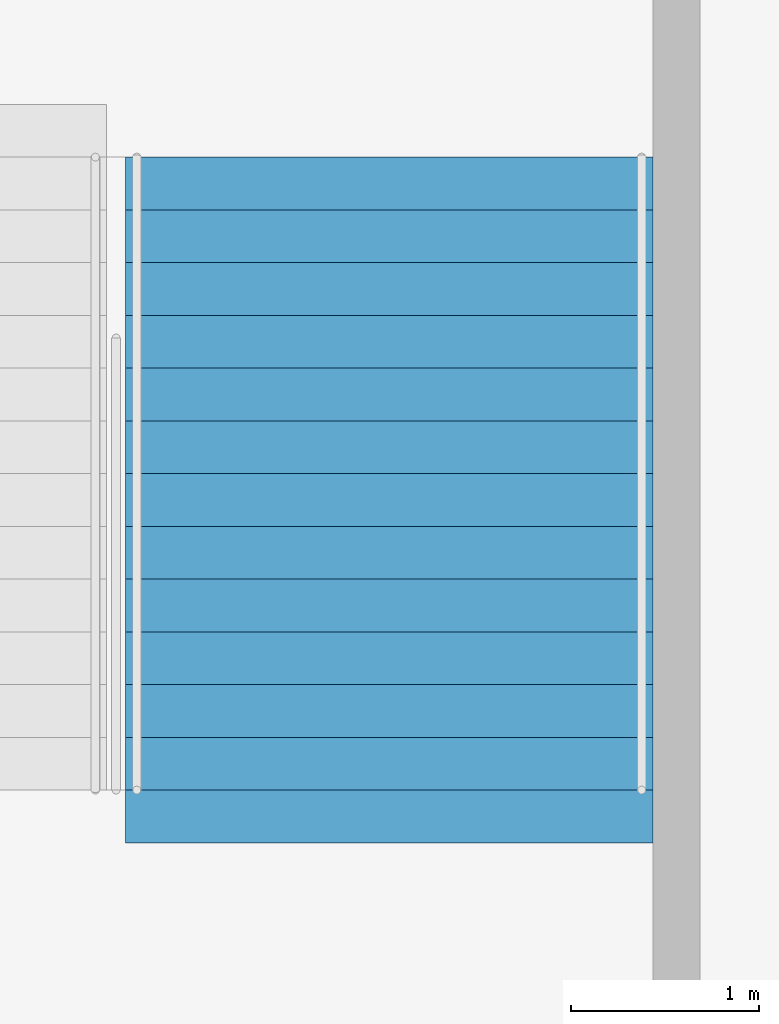
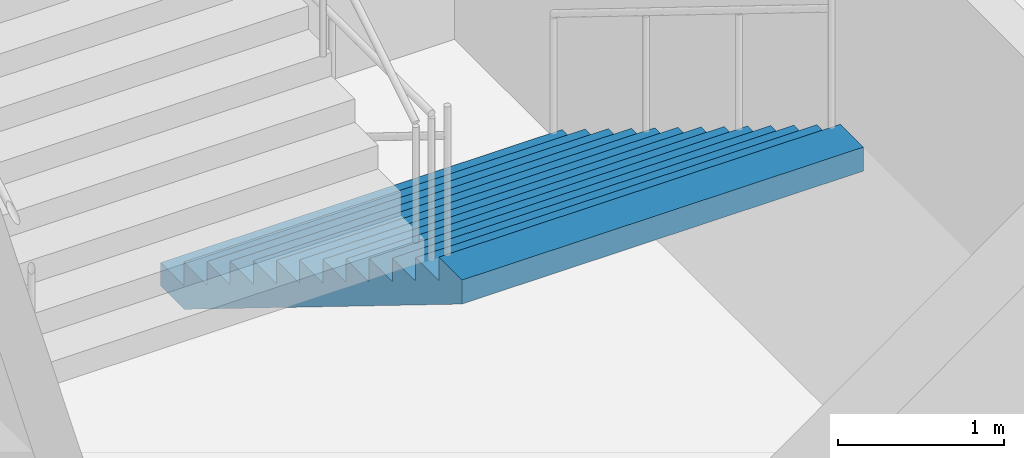
# One storey, part 66 of 115: 1 stair flight, 1 element without a shape of its own.
"""IFC4 building model written with IfcOpenShell, lengths in metres."""

from ifc_helpers import new_model, si_unit, direction, frame, origin, place, context, subcontext, project, spatial, faceted_brep, material, type_object, element, aggregate, save


model = new_model("IFC4")

# Units and contexts
model_context = context("Model", 3, precision=1e-05, world=origin(), true_north=direction((0.0, 1.0)))
body_context = subcontext(model_context, "Body", "Model", "MODEL_VIEW")
ifc_project = project(units=[si_unit("LENGTHUNIT", "METRE"), si_unit("AREAUNIT", "SQUARE_METRE"), si_unit("VOLUMEUNIT", "CUBIC_METRE"), si_unit("PLANEANGLEUNIT", "RADIAN"), si_unit("MASSUNIT", "GRAM", prefix="KILO")], contexts=[model_context])

# Site, building, storey
site_placement = place(None, origin())
site = spatial("IfcSite", under=ifc_project, at=site_placement, CompositionType="ELEMENT")
building_placement = place(site_placement, origin())
building = spatial("IfcBuilding", under=site, at=building_placement, Name="Ogive Plaza Stadium", CompositionType="ELEMENT")
storey_placement = place(building_placement, frame((0.0, 0.0, -4.5)))
storey = spatial("IfcBuildingStorey", under=building, at=storey_placement, Name="B1", CompositionType="ELEMENT", Elevation=-4.5)

# Stair, stair flight
ifc_material_1 = material(Name="Concrete C40/50", Category="concrete")
stair_type = type_object("IfcStairType", Name="Exit stair", PredefinedType="STRAIGHT_RUN_STAIR", material=ifc_material_1)
stair_placement = place(storey_placement, origin())
stair = element("IfcStair", 1, at=stair_placement, inside=storey, type_object=stair_type, Name="Exit stair ST16B B1 to L00", PredefinedType="STRAIGHT_RUN_STAIR")
ifc_material_2 = material(Name="Concrete C40/50", Category="concrete")
stair_flight_type = type_object("IfcStairFlightType", Name="Exit stair flight", PredefinedType="STRAIGHT", material=ifc_material_2)
stair_flight_placement = place(storey_placement, frame((-15.97509765625, -94.85009765625, 0.0), z_axis=(0.0, 0.0, 1.0), x_axis=(0.0, -1.0, 0.0)))
stair_flight = element("IfcStairFlight", 2, at=stair_flight_placement, type_object=stair_flight_type, Name="ST16B flight 1", NumberOfRisers=13, NumberOfTreads=12, PredefinedType="STRAIGHT", RiserHeight=0.173076923, TreadLength=0.28, context=body_context, shape_type="Brep", body=[
    faceted_brep([(0.28515625, -1.39990234375, 0.0), (3.639892578125, -1.39990234375, 2.07373046875), (3.639892578125, -1.39990234375, 2.25), (3.360107421875, -1.39990234375, 2.25), (3.360107421875, -1.39990234375, 2.076904296875), (3.080078125, -1.39990234375, 2.076904296875), (3.080078125, -1.39990234375, 1.90380859375), (2.800048828125, -1.39990234375, 1.90380859375), (2.800048828125, -1.39990234375, 1.730712890625), (2.52001953125, -1.39990234375, 1.730712890625), (2.52001953125, -1.39990234375, 1.5576171875), (2.239990234375, -1.39990234375, 1.5576171875), (2.239990234375, -1.39990234375, 1.384521484375), (1.9599609375, -1.39990234375, 1.384521484375), (1.9599609375, -1.39990234375, 1.21142578125), (1.679931640625, -1.39990234375, 1.21142578125), (1.679931640625, -1.39990234375, 1.03857421875), (1.39990234375, -1.39990234375, 1.03857421875), (1.39990234375, -1.39990234375, 0.865478515625), (1.1201171875, -1.39990234375, 0.865478515625), (1.1201171875, -1.39990234375, 0.6923828125), (0.840087890625, -1.39990234375, 0.6923828125), (0.840087890625, -1.39990234375, 0.519287109375), (0.56005859375, -1.39990234375, 0.519287109375), (0.56005859375, -1.39990234375, 0.34619140625), (0.280029296875, -1.39990234375, 0.34619140625), (0.280029296875, -1.39990234375, 0.173095703125), (0.0, -1.39990234375, 0.173095703125), (0.0, -1.39990234375, 0.0), (0.0, 1.39990234375, 0.0), (0.0, 1.39990234375, 0.173095703125), (0.280029296875, 1.39990234375, 0.173095703125), (0.280029296875, 1.39990234375, 0.34619140625), (0.56005859375, 1.39990234375, 0.34619140625), (0.56005859375, 1.39990234375, 0.519287109375), (0.840087890625, 1.39990234375, 0.519287109375), (0.840087890625, 1.39990234375, 0.6923828125), (1.1201171875, 1.39990234375, 0.6923828125), (1.1201171875, 1.39990234375, 0.865478515625), (1.39990234375, 1.39990234375, 0.865478515625), (1.39990234375, 1.39990234375, 1.03857421875), (1.679931640625, 1.39990234375, 1.03857421875), (1.679931640625, 1.39990234375, 1.21142578125), (1.9599609375, 1.39990234375, 1.21142578125), (1.9599609375, 1.39990234375, 1.384521484375), (2.239990234375, 1.39990234375, 1.384521484375), (2.239990234375, 1.39990234375, 1.5576171875), (2.52001953125, 1.39990234375, 1.5576171875), (2.52001953125, 1.39990234375, 1.730712890625), (2.800048828125, 1.39990234375, 1.730712890625), (2.800048828125, 1.39990234375, 1.90380859375), (3.080078125, 1.39990234375, 1.90380859375), (3.080078125, 1.39990234375, 2.076904296875), (3.360107421875, 1.39990234375, 2.076904296875), (3.360107421875, 1.39990234375, 2.25), (3.639892578125, 1.39990234375, 2.25), (3.639892578125, 1.39990234375, 2.07373046875), (0.28515625, 1.39990234375, 0.0), (0.28515625, -1.0888671875, 0.0), (3.639892578125, -1.0888671875, 2.07373046875), (0.28515625, -0.77783203125, 0.0), (3.639892578125, -0.77783203125, 2.07373046875), (0.28515625, -0.466796875, 0.0), (3.639892578125, -0.466796875, 2.07373046875), (0.28515625, -0.155517578125, 0.0), (3.639892578125, -0.155517578125, 2.07373046875), (0.28515625, 0.155517578125, 0.0), (3.639892578125, 0.155517578125, 2.07373046875), (0.28515625, 0.466796875, 0.0), (3.639892578125, 0.466796875, 2.07373046875), (0.28515625, 0.77783203125, 0.0), (3.639892578125, 0.77783203125, 2.07373046875), (0.28515625, 1.0888671875, 0.0), (3.639892578125, 1.0888671875, 2.07373046875), (3.639892578125, -1.0888671875, 2.25), (3.639892578125, -0.77783203125, 2.25), (3.639892578125, -0.466796875, 2.25), (3.639892578125, -0.155517578125, 2.25), (3.639892578125, 0.155517578125, 2.25), (3.639892578125, 0.466796875, 2.25), (3.639892578125, 0.77783203125, 2.25), (3.639892578125, 1.0888671875, 2.25), (3.360107421875, -1.0888671875, 2.25), (3.360107421875, -0.77783203125, 2.25), (3.360107421875, -0.466796875, 2.25), (3.360107421875, -0.155517578125, 2.25), (3.360107421875, 0.155517578125, 2.25), (3.360107421875, 0.466796875, 2.25), (3.360107421875, 0.77783203125, 2.25), (3.360107421875, 1.0888671875, 2.25), (3.360107421875, -1.0888671875, 2.076904296875), (3.360107421875, -0.77783203125, 2.076904296875), (3.360107421875, -0.466796875, 2.076904296875), (3.360107421875, -0.155517578125, 2.076904296875), (3.360107421875, 0.155517578125, 2.076904296875), (3.360107421875, 0.466796875, 2.076904296875), (3.360107421875, 0.77783203125, 2.076904296875), (3.360107421875, 1.0888671875, 2.076904296875), (3.080078125, -1.0888671875, 2.076904296875), (3.080078125, -0.77783203125, 2.076904296875), (3.080078125, -0.466796875, 2.076904296875), (3.080078125, -0.155517578125, 2.076904296875), (3.080078125, 0.155517578125, 2.076904296875), (3.080078125, 0.466796875, 2.076904296875), (3.080078125, 0.77783203125, 2.076904296875), (3.080078125, 1.0888671875, 2.076904296875), (3.080078125, -1.0888671875, 1.90380859375), (3.080078125, -0.77783203125, 1.90380859375), (3.080078125, -0.466796875, 1.90380859375), (3.080078125, -0.155517578125, 1.90380859375), (3.080078125, 0.155517578125, 1.90380859375), (3.080078125, 0.466796875, 1.90380859375), (3.080078125, 0.77783203125, 1.90380859375), (3.080078125, 1.0888671875, 1.90380859375), (2.800048828125, -1.0888671875, 1.90380859375), (2.800048828125, -0.77783203125, 1.90380859375), (2.800048828125, -0.466796875, 1.90380859375), (2.800048828125, -0.155517578125, 1.90380859375), (2.800048828125, 0.155517578125, 1.90380859375), (2.800048828125, 0.466796875, 1.90380859375), (2.800048828125, 0.77783203125, 1.90380859375), (2.800048828125, 1.0888671875, 1.90380859375), (2.800048828125, -1.0888671875, 1.730712890625), (2.800048828125, -0.77783203125, 1.730712890625), (2.800048828125, -0.466796875, 1.730712890625), (2.800048828125, -0.155517578125, 1.730712890625), (2.800048828125, 0.155517578125, 1.730712890625), (2.800048828125, 0.466796875, 1.730712890625), (2.800048828125, 0.77783203125, 1.730712890625), (2.800048828125, 1.0888671875, 1.730712890625), (2.52001953125, -1.0888671875, 1.730712890625), (2.52001953125, -0.77783203125, 1.730712890625), (2.52001953125, -0.466796875, 1.730712890625), (2.52001953125, -0.155517578125, 1.730712890625), (2.52001953125, 0.155517578125, 1.730712890625), (2.52001953125, 0.466796875, 1.730712890625), (2.52001953125, 0.77783203125, 1.730712890625), (2.52001953125, 1.0888671875, 1.730712890625), (2.52001953125, -1.0888671875, 1.5576171875), (2.52001953125, -0.77783203125, 1.5576171875), (2.52001953125, -0.466796875, 1.5576171875), (2.52001953125, -0.155517578125, 1.5576171875), (2.52001953125, 0.155517578125, 1.5576171875), (2.52001953125, 0.466796875, 1.5576171875), (2.52001953125, 0.77783203125, 1.5576171875), (2.52001953125, 1.0888671875, 1.5576171875), (2.239990234375, -1.0888671875, 1.5576171875), (2.239990234375, -0.77783203125, 1.5576171875), (2.239990234375, -0.466796875, 1.5576171875), (2.239990234375, -0.155517578125, 1.5576171875), (2.239990234375, 0.155517578125, 1.5576171875), (2.239990234375, 0.466796875, 1.5576171875), (2.239990234375, 0.77783203125, 1.5576171875), (2.239990234375, 1.0888671875, 1.5576171875), (2.239990234375, -1.0888671875, 1.384521484375), (2.239990234375, -0.77783203125, 1.384521484375), (2.239990234375, -0.466796875, 1.384521484375), (2.239990234375, -0.155517578125, 1.384521484375), (2.239990234375, 0.155517578125, 1.384521484375), (2.239990234375, 0.466796875, 1.384521484375), (2.239990234375, 0.77783203125, 1.384521484375), (2.239990234375, 1.0888671875, 1.384521484375), (1.9599609375, -1.0888671875, 1.384521484375), (1.9599609375, -0.77783203125, 1.384521484375), (1.9599609375, -0.466796875, 1.384521484375), (1.9599609375, -0.155517578125, 1.384521484375), (1.9599609375, 0.155517578125, 1.384521484375), (1.9599609375, 0.466796875, 1.384521484375), (1.9599609375, 0.77783203125, 1.384521484375), (1.9599609375, 1.0888671875, 1.384521484375), (1.9599609375, -1.0888671875, 1.21142578125), (1.9599609375, -0.77783203125, 1.21142578125), (1.9599609375, -0.466796875, 1.21142578125), (1.9599609375, -0.155517578125, 1.21142578125), (1.9599609375, 0.155517578125, 1.21142578125), (1.9599609375, 0.466796875, 1.21142578125), (1.9599609375, 0.77783203125, 1.21142578125), (1.9599609375, 1.0888671875, 1.21142578125), (1.679931640625, -1.0888671875, 1.21142578125), (1.679931640625, -0.77783203125, 1.21142578125), (1.679931640625, -0.466796875, 1.21142578125), (1.679931640625, -0.155517578125, 1.21142578125), (1.679931640625, 0.155517578125, 1.21142578125), (1.679931640625, 0.466796875, 1.21142578125), (1.679931640625, 0.77783203125, 1.21142578125), (1.679931640625, 1.0888671875, 1.21142578125), (1.679931640625, -1.0888671875, 1.03857421875), (1.679931640625, -0.77783203125, 1.03857421875), (1.679931640625, -0.466796875, 1.03857421875), (1.679931640625, -0.155517578125, 1.03857421875), (1.679931640625, 0.155517578125, 1.03857421875), (1.679931640625, 0.466796875, 1.03857421875), (1.679931640625, 0.77783203125, 1.03857421875), (1.679931640625, 1.0888671875, 1.03857421875), (1.39990234375, -1.0888671875, 1.03857421875), (1.39990234375, -0.77783203125, 1.03857421875), (1.39990234375, -0.466796875, 1.03857421875), (1.39990234375, -0.155517578125, 1.03857421875), (1.39990234375, 0.155517578125, 1.03857421875), (1.39990234375, 0.466796875, 1.03857421875), (1.39990234375, 0.77783203125, 1.03857421875), (1.39990234375, 1.0888671875, 1.03857421875), (1.39990234375, -1.0888671875, 0.865478515625), (1.39990234375, -0.77783203125, 0.865478515625), (1.39990234375, -0.466796875, 0.865478515625), (1.39990234375, -0.155517578125, 0.865478515625), (1.39990234375, 0.155517578125, 0.865478515625), (1.39990234375, 0.466796875, 0.865478515625), (1.39990234375, 0.77783203125, 0.865478515625), (1.39990234375, 1.0888671875, 0.865478515625), (1.1201171875, -1.0888671875, 0.865478515625), (1.1201171875, -0.77783203125, 0.865478515625), (1.1201171875, -0.466796875, 0.865478515625), (1.1201171875, -0.155517578125, 0.865478515625), (1.1201171875, 0.155517578125, 0.865478515625), (1.1201171875, 0.466796875, 0.865478515625), (1.1201171875, 0.77783203125, 0.865478515625), (1.1201171875, 1.0888671875, 0.865478515625), (1.1201171875, -1.0888671875, 0.6923828125), (1.1201171875, -0.77783203125, 0.6923828125), (1.1201171875, -0.466796875, 0.6923828125), (1.1201171875, -0.155517578125, 0.6923828125), (1.1201171875, 0.155517578125, 0.6923828125), (1.1201171875, 0.466796875, 0.6923828125), (1.1201171875, 0.77783203125, 0.6923828125), (1.1201171875, 1.0888671875, 0.6923828125), (0.840087890625, -1.0888671875, 0.6923828125), (0.840087890625, -0.77783203125, 0.6923828125), (0.840087890625, -0.466796875, 0.6923828125), (0.840087890625, -0.155517578125, 0.6923828125), (0.840087890625, 0.155517578125, 0.6923828125), (0.840087890625, 0.466796875, 0.6923828125), (0.840087890625, 0.77783203125, 0.6923828125), (0.840087890625, 1.0888671875, 0.6923828125), (0.840087890625, -1.0888671875, 0.519287109375), (0.840087890625, -0.77783203125, 0.519287109375), (0.840087890625, -0.466796875, 0.519287109375), (0.840087890625, -0.155517578125, 0.519287109375), (0.840087890625, 0.155517578125, 0.519287109375), (0.840087890625, 0.466796875, 0.519287109375), (0.840087890625, 0.77783203125, 0.519287109375), (0.840087890625, 1.0888671875, 0.519287109375), (0.56005859375, -1.0888671875, 0.519287109375), (0.56005859375, -0.77783203125, 0.519287109375), (0.56005859375, -0.466796875, 0.519287109375), (0.56005859375, -0.155517578125, 0.519287109375), (0.56005859375, 0.155517578125, 0.519287109375), (0.56005859375, 0.466796875, 0.519287109375), (0.56005859375, 0.77783203125, 0.519287109375), (0.56005859375, 1.0888671875, 0.519287109375), (0.56005859375, -1.0888671875, 0.34619140625), (0.56005859375, -0.77783203125, 0.34619140625), (0.56005859375, -0.466796875, 0.34619140625), (0.56005859375, -0.155517578125, 0.34619140625), (0.56005859375, 0.155517578125, 0.34619140625), (0.56005859375, 0.466796875, 0.34619140625), (0.56005859375, 0.77783203125, 0.34619140625), (0.56005859375, 1.0888671875, 0.34619140625), (0.280029296875, -1.0888671875, 0.34619140625), (0.280029296875, -0.77783203125, 0.34619140625), (0.280029296875, -0.466796875, 0.34619140625), (0.280029296875, -0.155517578125, 0.34619140625), (0.280029296875, 0.155517578125, 0.34619140625), (0.280029296875, 0.466796875, 0.34619140625), (0.280029296875, 0.77783203125, 0.34619140625), (0.280029296875, 1.0888671875, 0.34619140625), (0.280029296875, -1.0888671875, 0.173095703125), (0.280029296875, -0.77783203125, 0.173095703125), (0.280029296875, -0.466796875, 0.173095703125), (0.280029296875, -0.155517578125, 0.173095703125), (0.280029296875, 0.155517578125, 0.173095703125), (0.280029296875, 0.466796875, 0.173095703125), (0.280029296875, 0.77783203125, 0.173095703125), (0.280029296875, 1.0888671875, 0.173095703125), (0.0, -1.0888671875, 0.173095703125), (0.0, -0.77783203125, 0.173095703125), (0.0, -0.466796875, 0.173095703125), (0.0, -0.155517578125, 0.173095703125), (0.0, 0.155517578125, 0.173095703125), (0.0, 0.466796875, 0.173095703125), (0.0, 0.77783203125, 0.173095703125), (0.0, 1.0888671875, 0.173095703125), (0.0, -1.0888671875, 0.0), (0.0, -0.77783203125, 0.0), (0.0, -0.466796875, 0.0), (0.0, -0.155517578125, 0.0), (0.0, 0.155517578125, 0.0), (0.0, 0.466796875, 0.0), (0.0, 0.77783203125, 0.0), (0.0, 1.0888671875, 0.0)], [[[0, 1, 2, 3, 4, 5, 6, 7, 8, 9, 10, 11, 12, 13, 14, 15, 16, 17, 18, 19, 20, 21, 22, 23, 24, 25, 26, 27, 28]], [[29, 30, 31, 32, 33, 34, 35, 36, 37, 38, 39, 40, 41, 42, 43, 44, 45, 46, 47, 48, 49, 50, 51, 52, 53, 54, 55, 56, 57]], [[0, 58, 59, 1]], [[58, 60, 61, 59]], [[60, 62, 63, 61]], [[62, 64, 65, 63]], [[64, 66, 67, 65]], [[66, 68, 69, 67]], [[68, 70, 71, 69]], [[70, 72, 73, 71]], [[72, 57, 56, 73]], [[1, 59, 74, 2]], [[59, 61, 75, 74]], [[61, 63, 76, 75]], [[63, 65, 77, 76]], [[65, 67, 78, 77]], [[67, 69, 79, 78]], [[69, 71, 80, 79]], [[71, 73, 81, 80]], [[73, 56, 55, 81]], [[2, 74, 82, 3]], [[74, 75, 83, 82]], [[75, 76, 84, 83]], [[76, 77, 85, 84]], [[77, 78, 86, 85]], [[78, 79, 87, 86]], [[79, 80, 88, 87]], [[80, 81, 89, 88]], [[81, 55, 54, 89]], [[3, 82, 90, 4]], [[82, 83, 91, 90]], [[83, 84, 92, 91]], [[84, 85, 93, 92]], [[85, 86, 94, 93]], [[86, 87, 95, 94]], [[87, 88, 96, 95]], [[88, 89, 97, 96]], [[89, 54, 53, 97]], [[4, 90, 98, 5]], [[90, 91, 99, 98]], [[91, 92, 100, 99]], [[92, 93, 101, 100]], [[93, 94, 102, 101]], [[94, 95, 103, 102]], [[95, 96, 104, 103]], [[96, 97, 105, 104]], [[97, 53, 52, 105]], [[5, 98, 106, 6]], [[98, 99, 107, 106]], [[99, 100, 108, 107]], [[100, 101, 109, 108]], [[101, 102, 110, 109]], [[102, 103, 111, 110]], [[103, 104, 112, 111]], [[104, 105, 113, 112]], [[105, 52, 51, 113]], [[6, 106, 114, 7]], [[106, 107, 115, 114]], [[107, 108, 116, 115]], [[108, 109, 117, 116]], [[109, 110, 118, 117]], [[110, 111, 119, 118]], [[111, 112, 120, 119]], [[112, 113, 121, 120]], [[113, 51, 50, 121]], [[7, 114, 122, 8]], [[114, 115, 123, 122]], [[115, 116, 124, 123]], [[116, 117, 125, 124]], [[117, 118, 126, 125]], [[118, 119, 127, 126]], [[119, 120, 128, 127]], [[120, 121, 129, 128]], [[121, 50, 49, 129]], [[8, 122, 130, 9]], [[122, 123, 131, 130]], [[123, 124, 132, 131]], [[124, 125, 133, 132]], [[125, 126, 134, 133]], [[126, 127, 135, 134]], [[127, 128, 136, 135]], [[128, 129, 137, 136]], [[129, 49, 48, 137]], [[9, 130, 138, 10]], [[130, 131, 139, 138]], [[131, 132, 140, 139]], [[132, 133, 141, 140]], [[133, 134, 142, 141]], [[134, 135, 143, 142]], [[135, 136, 144, 143]], [[136, 137, 145, 144]], [[137, 48, 47, 145]], [[10, 138, 146, 11]], [[138, 139, 147, 146]], [[139, 140, 148, 147]], [[140, 141, 149, 148]], [[141, 142, 150, 149]], [[142, 143, 151, 150]], [[143, 144, 152, 151]], [[144, 145, 153, 152]], [[145, 47, 46, 153]], [[11, 146, 154, 12]], [[146, 147, 155, 154]], [[147, 148, 156, 155]], [[148, 149, 157, 156]], [[149, 150, 158, 157]], [[150, 151, 159, 158]], [[151, 152, 160, 159]], [[152, 153, 161, 160]], [[153, 46, 45, 161]], [[12, 154, 162, 13]], [[154, 155, 163, 162]], [[155, 156, 164, 163]], [[156, 157, 165, 164]], [[157, 158, 166, 165]], [[158, 159, 167, 166]], [[159, 160, 168, 167]], [[160, 161, 169, 168]], [[161, 45, 44, 169]], [[13, 162, 170, 14]], [[162, 163, 171, 170]], [[163, 164, 172, 171]], [[164, 165, 173, 172]], [[165, 166, 174, 173]], [[166, 167, 175, 174]], [[167, 168, 176, 175]], [[168, 169, 177, 176]], [[169, 44, 43, 177]], [[14, 170, 178, 15]], [[170, 171, 179, 178]], [[171, 172, 180, 179]], [[172, 173, 181, 180]], [[173, 174, 182, 181]], [[174, 175, 183, 182]], [[175, 176, 184, 183]], [[176, 177, 185, 184]], [[177, 43, 42, 185]], [[15, 178, 186, 16]], [[178, 179, 187, 186]], [[179, 180, 188, 187]], [[180, 181, 189, 188]], [[181, 182, 190, 189]], [[182, 183, 191, 190]], [[183, 184, 192, 191]], [[184, 185, 193, 192]], [[185, 42, 41, 193]], [[16, 186, 194, 17]], [[186, 187, 195, 194]], [[187, 188, 196, 195]], [[188, 189, 197, 196]], [[189, 190, 198, 197]], [[190, 191, 199, 198]], [[191, 192, 200, 199]], [[192, 193, 201, 200]], [[193, 41, 40, 201]], [[17, 194, 202, 18]], [[194, 195, 203, 202]], [[195, 196, 204, 203]], [[196, 197, 205, 204]], [[197, 198, 206, 205]], [[198, 199, 207, 206]], [[199, 200, 208, 207]], [[200, 201, 209, 208]], [[201, 40, 39, 209]], [[18, 202, 210, 19]], [[202, 203, 211, 210]], [[203, 204, 212, 211]], [[204, 205, 213, 212]], [[205, 206, 214, 213]], [[206, 207, 215, 214]], [[207, 208, 216, 215]], [[208, 209, 217, 216]], [[209, 39, 38, 217]], [[19, 210, 218, 20]], [[210, 211, 219, 218]], [[211, 212, 220, 219]], [[212, 213, 221, 220]], [[213, 214, 222, 221]], [[214, 215, 223, 222]], [[215, 216, 224, 223]], [[216, 217, 225, 224]], [[217, 38, 37, 225]], [[20, 218, 226, 21]], [[218, 219, 227, 226]], [[219, 220, 228, 227]], [[220, 221, 229, 228]], [[221, 222, 230, 229]], [[222, 223, 231, 230]], [[223, 224, 232, 231]], [[224, 225, 233, 232]], [[225, 37, 36, 233]], [[21, 226, 234, 22]], [[226, 227, 235, 234]], [[227, 228, 236, 235]], [[228, 229, 237, 236]], [[229, 230, 238, 237]], [[230, 231, 239, 238]], [[231, 232, 240, 239]], [[232, 233, 241, 240]], [[233, 36, 35, 241]], [[22, 234, 242, 23]], [[234, 235, 243, 242]], [[235, 236, 244, 243]], [[236, 237, 245, 244]], [[237, 238, 246, 245]], [[238, 239, 247, 246]], [[239, 240, 248, 247]], [[240, 241, 249, 248]], [[241, 35, 34, 249]], [[23, 242, 250, 24]], [[242, 243, 251, 250]], [[243, 244, 252, 251]], [[244, 245, 253, 252]], [[245, 246, 254, 253]], [[246, 247, 255, 254]], [[247, 248, 256, 255]], [[248, 249, 257, 256]], [[249, 34, 33, 257]], [[24, 250, 258, 25]], [[250, 251, 259, 258]], [[251, 252, 260, 259]], [[252, 253, 261, 260]], [[253, 254, 262, 261]], [[254, 255, 263, 262]], [[255, 256, 264, 263]], [[256, 257, 265, 264]], [[257, 33, 32, 265]], [[25, 258, 266, 26]], [[258, 259, 267, 266]], [[259, 260, 268, 267]], [[260, 261, 269, 268]], [[261, 262, 270, 269]], [[262, 263, 271, 270]], [[263, 264, 272, 271]], [[264, 265, 273, 272]], [[265, 32, 31, 273]], [[26, 266, 274, 27]], [[266, 267, 275, 274]], [[267, 268, 276, 275]], [[268, 269, 277, 276]], [[269, 270, 278, 277]], [[270, 271, 279, 278]], [[271, 272, 280, 279]], [[272, 273, 281, 280]], [[273, 31, 30, 281]], [[27, 274, 282, 28]], [[274, 275, 283, 282]], [[275, 276, 284, 283]], [[276, 277, 285, 284]], [[277, 278, 286, 285]], [[278, 279, 287, 286]], [[279, 280, 288, 287]], [[280, 281, 289, 288]], [[281, 30, 29, 289]], [[28, 282, 58, 0]], [[282, 283, 60, 58]], [[283, 284, 62, 60]], [[284, 285, 64, 62]], [[285, 286, 66, 64]], [[286, 287, 68, 66]], [[287, 288, 70, 68]], [[288, 289, 72, 70]], [[289, 29, 57, 72]]]),
])
aggregate(stair, [stair_flight])

save(model, "model.ifc")
